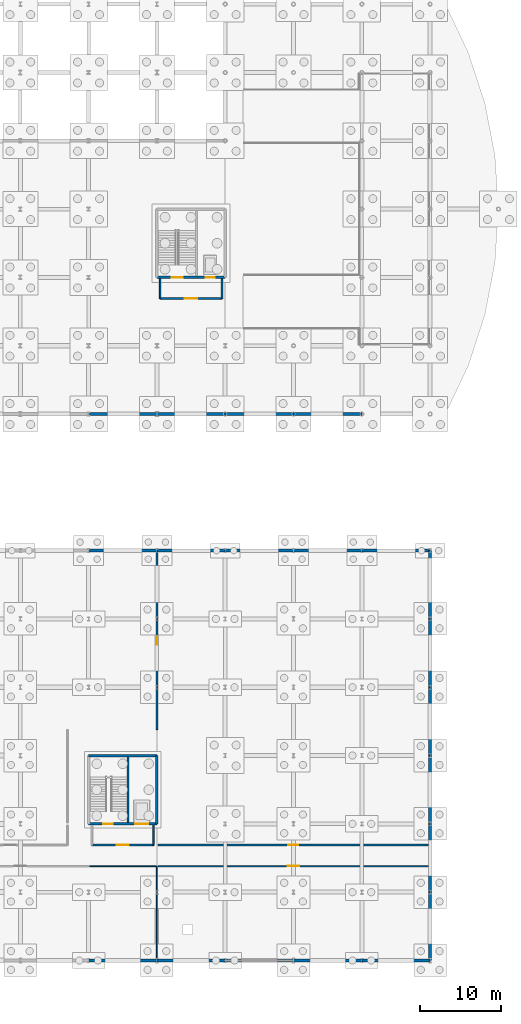
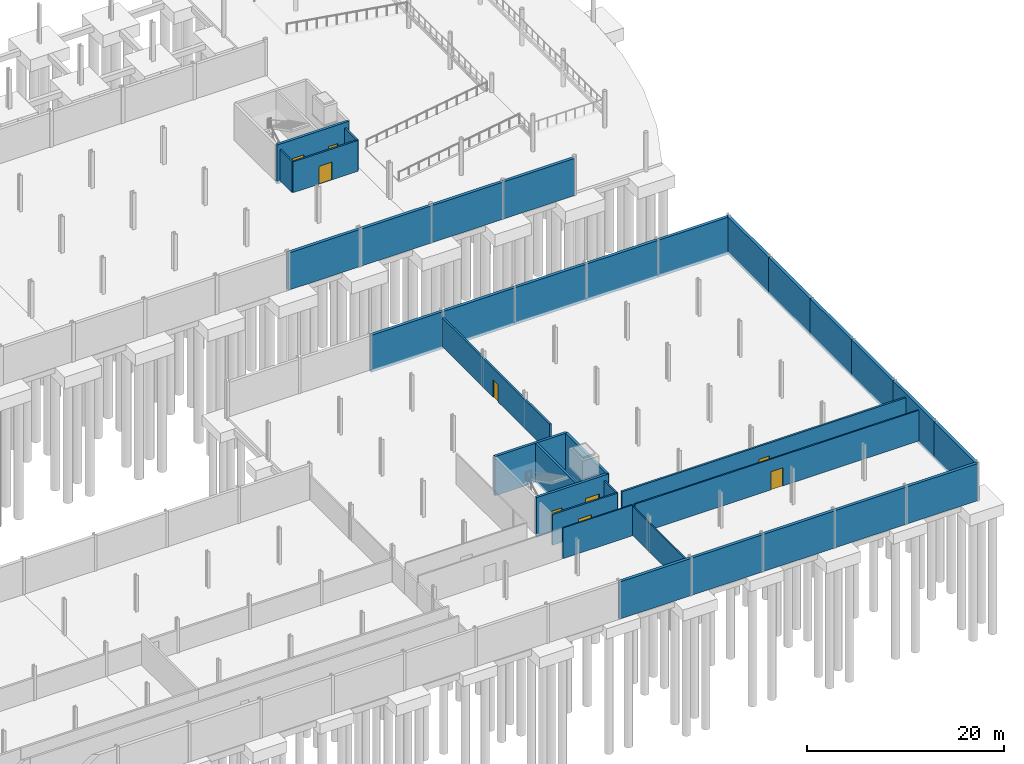
# One storey, part 37 of 51: 35 walls, 9 doors, 9 openings.
"""IFC4 building model written with IfcOpenShell, lengths in metres."""

from ifc_helpers import new_model, si_unit, direction, frame, frame_2d, origin, place, context, subcontext, project, spatial, rectangle, extrude, material, layer, layer_set, type_object, element, fill, save


model = new_model("IFC4")

# Units and contexts
model_context = context("Model", 3, precision=1e-05, world=origin(), true_north=direction((0.0, 1.0)))
body_context = subcontext(model_context, "Body", "Model", "MODEL_VIEW")
ifc_project = project(units=[si_unit("LENGTHUNIT", "METRE"), si_unit("AREAUNIT", "SQUARE_METRE"), si_unit("VOLUMEUNIT", "CUBIC_METRE"), si_unit("PLANEANGLEUNIT", "RADIAN"), si_unit("MASSUNIT", "GRAM", prefix="KILO")], contexts=[model_context])

# Site, building, storey
site_placement = place(None, origin())
site = spatial("IfcSite", under=ifc_project, at=site_placement, CompositionType="ELEMENT")
building_placement = place(site_placement, origin())
building = spatial("IfcBuilding", under=site, at=building_placement, Name="Qalvenar Corner Mobility Hub", CompositionType="ELEMENT")
storey_placement = place(building_placement, frame((0.0, 0.0, -4.5)))
storey = spatial("IfcBuildingStorey", under=building, at=storey_placement, Name="B1", CompositionType="ELEMENT", Elevation=-4.5)

# Wall
ifc_material_1 = material(Name="Concrete C40/50", Category="concrete")
ifc_layer_1 = layer(ifc_material_1, 0.25)
ifc_layer_set_1 = layer_set([ifc_layer_1], Name="Concrete C40/50")
wall_type_1 = type_object("IfcWallType", Name="WL-CORE250", PredefinedType="SHEAR", material=ifc_layer_set_1)
wall_1_placement = place(storey_placement, frame((130.85009765625, 16.949951171875, -0.35009765625), z_axis=(0.0, 0.0, 1.0), x_axis=(0.0, 1.0, 0.0)))
element("IfcWall", 1, at=wall_1_placement, inside=storey, type_object=wall_type_1, Name="Core Divider Wall C6-B1", PredefinedType="SHEAR", context=body_context, shape_type="SweptSolid", body=[
    extrude(rectangle(XDim=8.10009765625, YDim=0.25, at=frame_2d((4.050048828125, 0.0))), origin(), (0.0, 0.0, 1.0), 4.85009765625),
])

# Wall, openings, doors
ifc_layer_2 = layer(ifc_material_1, 0.300048828125)
ifc_layer_set_2 = layer_set([ifc_layer_2], Name="Concrete C40/50")
wall_type_2 = type_object("IfcWallType", Name="WL-CORE300", PredefinedType="SHEAR", material=ifc_layer_set_2)
wall_2_placement = place(storey_placement, frame((134.39990234375, 84.0, -0.35009765625), z_axis=(0.0, 0.0, 1.0), x_axis=(1.0, 0.0, 0.0)))
wall_2 = element("IfcWall", 2, at=wall_2_placement, inside=storey, type_object=wall_type_2, Name="Core Shear Wall C4-B1-S", PredefinedType="SHEAR", context=body_context, shape_type="SweptSolid", body=[
    extrude(rectangle(XDim=8.400146484375, YDim=0.300048828125, at=frame_2d((4.2001953125, 0.0))), origin(), (0.0, 0.0, 1.0), 4.85009765625),
])
opening_1_placement = place(wall_2_placement, frame((1.800048828125, 0.0, 0.35009765625)))
opening_1 = element("IfcOpeningElement", 3, at=opening_1_placement, cuts=wall_2, Name="Opening DR-012", PredefinedType="OPENING", context=body_context, shape_type="SweptSolid", body=[
    extrude(rectangle(XDim=1.35009765625, YDim=2.199951171875, at=frame_2d((0.675048828125, 1.10009765625))), frame((0.0, 0.16015625, 0.0), z_axis=(0.0, -1.0, 0.0), x_axis=(1.0, 0.0, 0.0)), (0.0, 0.0, 1.0), 0.320068359375),
])
opening_2_placement = place(wall_2_placement, frame((6.0, 0.0, 0.35009765625)))
opening_2 = element("IfcOpeningElement", 4, at=opening_2_placement, cuts=wall_2, Name="Opening DR-013", PredefinedType="OPENING", context=body_context, shape_type="SweptSolid", body=[
    extrude(rectangle(XDim=1.10009765625, YDim=2.199951171875, at=frame_2d((0.550048828125, 1.10009765625))), frame((0.0, 0.16015625, 0.0), z_axis=(0.0, -1.0, 0.0), x_axis=(1.0, 0.0, 0.0)), (0.0, 0.0, 1.0), 0.320068359375),
])
ifc_material_2 = material(Name="Stainless Steel Lift Landing Door", Category="steel")
door_type_1 = type_object("IfcDoorType", Name="DR-LIFT-110", OperationType="SLIDING_TO_LEFT", PredefinedType="DOOR", material=ifc_material_2)
door_1_placement = place(opening_2_placement, origin())
door_1 = element("IfcDoor", 5, at=door_1_placement, inside=storey, type_object=door_type_1, Name="DR-013 Lift Landing Door LP4-B1", OperationType="SLIDING_TO_LEFT", OverallHeight=2.199951171875, OverallWidth=1.10009765625, PredefinedType="DOOR", context=body_context, shape_type="SweptSolid", body=[
    extrude(rectangle(XDim=1.10009765625, YDim=2.199951171875, at=frame_2d((0.550048828125, 1.10009765625))), frame((0.0, 0.02490234375, 0.0), z_axis=(0.0, -1.0, 0.0), x_axis=(1.0, 0.0, 0.0)), (0.0, 0.0, 1.0), 0.050048828125),
])
fill(opening_2, door_1)
ifc_material_3 = material(Name="Fire-Rated Steel Stair Door FD90", Category="steel")
door_type_2 = type_object("IfcDoorType", Name="DR-STAIR-135", OperationType="NOTDEFINED", PredefinedType="DOOR", material=ifc_material_3)
door_2_placement = place(opening_1_placement, origin())
door_2 = element("IfcDoor", 6, at=door_2_placement, inside=storey, type_object=door_type_2, Name="DR-012 Stair Fire Door ST4-B1", OperationType="SINGLE_SWING_RIGHT", OverallHeight=2.199951171875, OverallWidth=1.35009765625, PredefinedType="DOOR", context=body_context, shape_type="SweptSolid", body=[
    extrude(rectangle(XDim=1.35009765625, YDim=2.199951171875, at=frame_2d((0.675048828125, 1.10009765625))), frame((0.0, 0.02490234375, 0.0), z_axis=(0.0, -1.0, 0.0), x_axis=(1.0, 0.0, 0.0)), (0.0, 0.0, 1.0), 0.050048828125),
])
fill(opening_1, door_2)

wall_3_placement = place(storey_placement, frame((126.0, 16.800048828125, -0.35009765625), z_axis=(0.0, 0.0, 1.0), x_axis=(1.0, 0.0, 0.0)))
wall_3 = element("IfcWall", 7, at=wall_3_placement, inside=storey, type_object=wall_type_2, Name="Core Shear Wall C6-B1-S", PredefinedType="SHEAR", context=body_context, shape_type="SweptSolid", body=[
    extrude(rectangle(XDim=8.39990234375, YDim=0.300048828125, at=frame_2d((4.199951171875, 0.0))), origin(), (0.0, 0.0, 1.0), 4.85009765625),
])
opening_3_placement = place(wall_3_placement, frame((1.800048828125, 0.0, 0.35009765625)))
opening_3 = element("IfcOpeningElement", 8, at=opening_3_placement, cuts=wall_3, Name="Opening DR-018", PredefinedType="OPENING", context=body_context, shape_type="SweptSolid", body=[
    extrude(rectangle(XDim=1.199951171875, YDim=2.199951171875, at=frame_2d((0.60009765625, 1.10009765625))), frame((0.0, 0.16015625, 0.0), z_axis=(0.0, -1.0, 0.0), x_axis=(1.0, 0.0, 0.0)), (0.0, 0.0, 1.0), 0.320068359375),
])
opening_4_placement = place(wall_3_placement, frame((5.75, 0.0, 0.35009765625)))
opening_4 = element("IfcOpeningElement", 9, at=opening_4_placement, cuts=wall_3, Name="Opening DR-019", PredefinedType="OPENING", context=body_context, shape_type="SweptSolid", body=[
    extrude(rectangle(XDim=1.60009765625, YDim=2.39990234375, at=frame_2d((0.800048828125, 1.199951171875))), frame((0.0, 0.16015625, 0.0), z_axis=(0.0, -1.0, 0.0), x_axis=(1.0, 0.0, 0.0)), (0.0, 0.0, 1.0), 0.320068359375),
])
ifc_material_4 = material(Name="Stainless Steel Goods Lift Landing Door", Category="steel")
door_type_3 = type_object("IfcDoorType", Name="DR-LIFT-160", OperationType="SLIDING_TO_LEFT", PredefinedType="DOOR", material=ifc_material_4)
door_3_placement = place(opening_4_placement, origin())
door_3 = element("IfcDoor", 10, at=door_3_placement, inside=storey, type_object=door_type_3, Name="DR-019 Lift Landing Door LG2-B1", OperationType="SLIDING_TO_LEFT", OverallHeight=2.39990234375, OverallWidth=1.60009765625, PredefinedType="DOOR", context=body_context, shape_type="SweptSolid", body=[
    extrude(rectangle(XDim=1.60009765625, YDim=2.39990234375, at=frame_2d((0.800048828125, 1.199951171875))), frame((0.0, 0.02490234375, 0.0), z_axis=(0.0, -1.0, 0.0), x_axis=(1.0, 0.0, 0.0)), (0.0, 0.0, 1.0), 0.050048828125),
])
fill(opening_4, door_3)
door_type_4 = type_object("IfcDoorType", Name="DR-STAIR-120", OperationType="NOTDEFINED", PredefinedType="DOOR", material=ifc_material_3)
door_4_placement = place(opening_3_placement, origin())
door_4 = element("IfcDoor", 11, at=door_4_placement, inside=storey, type_object=door_type_4, Name="DR-018 Stair Fire Door ST6-B1", OperationType="SINGLE_SWING_RIGHT", OverallHeight=2.199951171875, OverallWidth=1.199951171875, PredefinedType="DOOR", context=body_context, shape_type="SweptSolid", body=[
    extrude(rectangle(XDim=1.199951171875, YDim=2.199951171875, at=frame_2d((0.60009765625, 1.10009765625))), frame((0.0, 0.02490234375, 0.0), z_axis=(0.0, -1.0, 0.0), x_axis=(1.0, 0.0, 0.0)), (0.0, 0.0, 1.0), 0.050048828125),
])
fill(opening_3, door_4)

# Walls
for number, where, z_axis, x_axis, name in (
    (12, (134.39990234375, 16.800048828125, -0.35009765625), (0.0, 0.0, 1.0), (0.0, 1.0, 0.0), "Core Shear Wall C6-B1-E"),
    (13, (134.39990234375, 25.199951171875, -0.35009765625), (0.0, 0.0, 1.0), (-1.0, 0.0, 0.0), "Core Shear Wall C6-B1-N"),
):
    element("IfcWall", number, at=place(storey_placement, frame(where, z_axis=z_axis, x_axis=x_axis)), inside=storey, type_object=wall_type_2, Name=name, PredefinedType="SHEAR", context=body_context, shape_type="SweptSolid", body=[
        extrude(rectangle(XDim=8.39990234375, YDim=0.300048828125, at=frame_2d((4.199951171875, 0.0))), origin(), (0.0, 0.0, 1.0), 4.85009765625),
    ])

# Wall, opening, door
ifc_material_5 = material(Name="Concrete Blockwork Masonry", Category="masonry")
ifc_layer_3 = layer(ifc_material_5, 0.219970703125)
ifc_layer_set_3 = layer_set([ifc_layer_3], Name="Concrete Blockwork Masonry")
wall_type_3 = type_object("IfcWallType", Name="WL-FIRE220", PredefinedType="PARTITIONING", material=ifc_layer_set_3)
wall_4_placement = place(storey_placement, frame((134.550048828125, 14.199951171875, 0.0), z_axis=(0.0, 0.0, 1.0), x_axis=(1.0, 0.0, 0.0)))
wall_4 = element("IfcWall", 14, at=wall_4_placement, inside=storey, type_object=wall_type_3, Name="Interior Partition PRT-B1-019", PredefinedType="PARTITIONING", context=body_context, shape_type="SweptSolid", body=[
    extrude(rectangle(XDim=33.27001953125, YDim=0.219970703125, at=frame_2d((16.635009765625, 0.0))), origin(), (0.0, 0.0, 1.0), 3.800048828125),
])
opening_5_placement = place(wall_4_placement, frame((16.010009765625, 0.0, 0.0)))
opening_5 = element("IfcOpeningElement", 15, at=opening_5_placement, cuts=wall_4, Name="Opening DR-035", PredefinedType="OPENING", context=body_context, shape_type="SweptSolid", body=[
    extrude(rectangle(XDim=1.25, YDim=2.199951171875, at=frame_2d((0.625, 1.10009765625))), frame((0.0, 0.1201171875, 0.0), z_axis=(0.0, -1.0, 0.0), x_axis=(1.0, 0.0, 0.0)), (0.0, 0.0, 1.0), 0.239990234375),
])
ifc_material_6 = material(Name="Acoustic Steel Plant Room Door FD60", Category="steel")
door_type_5 = type_object("IfcDoorType", Name="DR-INT-PLT125", OperationType="NOTDEFINED", PredefinedType="DOOR", material=ifc_material_6)
door_5_placement = place(opening_5_placement, origin())
door_5 = element("IfcDoor", 16, at=door_5_placement, inside=storey, type_object=door_type_5, Name="DR-035 Greywater Recycling and Oil Separator Pl Door", OperationType="SINGLE_SWING_LEFT", OverallHeight=2.199951171875, OverallWidth=1.25, PredefinedType="DOOR", context=body_context, shape_type="SweptSolid", body=[
    extrude(rectangle(XDim=1.25, YDim=2.199951171875, at=frame_2d((0.625, 1.10009765625))), frame((0.0, 0.02490234375, 0.0), z_axis=(0.0, -1.0, 0.0), x_axis=(1.0, 0.0, 0.0)), (0.0, 0.0, 1.0), 0.050048828125),
])
fill(opening_5, door_5)

wall_5_placement = place(storey_placement, frame((134.39990234375, 28.39990234375, 0.0), z_axis=(0.0, 0.0, 1.0), x_axis=(0.0, 1.0, 0.0)))
wall_5 = element("IfcWall", 17, at=wall_5_placement, inside=storey, type_object=wall_type_3, Name="Interior Partition PRT-B1-061", PredefinedType="PARTITIONING", context=body_context, shape_type="SweptSolid", body=[
    extrude(rectangle(XDim=21.820068359375, YDim=0.219970703125, at=frame_2d((10.91015625, 0.0))), origin(), (0.0, 0.0, 1.0), 3.570068359375),
])
opening_6_placement = place(wall_5_placement, frame((10.409912109375, 0.0, 0.0)))
opening_6 = element("IfcOpeningElement", 18, at=opening_6_placement, cuts=wall_5, Name="Opening DR-045", PredefinedType="OPENING", context=body_context, shape_type="SweptSolid", body=[
    extrude(rectangle(XDim=1.0, YDim=2.14990234375, at=frame_2d((0.5, 1.074951171875))), frame((0.0, 0.1201171875, 0.0), z_axis=(0.0, -1.0, 0.0), x_axis=(1.0, 0.0, 0.0)), (0.0, 0.0, 1.0), 0.239990234375),
])
ifc_material_7 = material(Name="Hardwood Teak Office Door FD30", Category="wood")
door_type_6 = type_object("IfcDoorType", Name="DR-INT-OFF100", OperationType="NOTDEFINED", PredefinedType="DOOR", material=ifc_material_7)
door_6_placement = place(opening_6_placement, origin())
door_6 = element("IfcDoor", 19, at=door_6_placement, inside=storey, type_object=door_type_6, Name="DR-045 Compressed Air and Lubrication Room Door", OperationType="SINGLE_SWING_LEFT", OverallHeight=2.14990234375, OverallWidth=1.0, PredefinedType="DOOR", context=body_context, shape_type="SweptSolid", body=[
    extrude(rectangle(XDim=1.0, YDim=2.14990234375, at=frame_2d((0.5, 1.074951171875))), frame((0.0, 0.02490234375, 0.0), z_axis=(0.0, -1.0, 0.0), x_axis=(1.0, 0.0, 0.0)), (0.0, 0.0, 1.0), 0.050048828125),
])
fill(opening_6, door_6)

# Walls
ifc_material_8 = material(Name="Acoustic Gypsum Stud Partition", Category="masonry")
ifc_layer_4 = layer(ifc_material_8, 0.139892578125)
ifc_layer_set_4 = layer_set([ifc_layer_4], Name="Acoustic Gypsum Stud Partition")
wall_type_4 = type_object("IfcWallType", Name="WL-INT140", PredefinedType="PARTITIONING", material=ifc_layer_set_4)
wall_6_placement = place(storey_placement, frame((126.14990234375, 11.60009765625, 0.0), z_axis=(0.0, 0.0, 1.0), x_axis=(1.0, 0.0, 0.0)))
element("IfcWall", 20, at=wall_6_placement, inside=storey, type_object=wall_type_4, Name="Interior Partition PRT-B1-016", PredefinedType="PARTITIONING", context=body_context, shape_type="SweptSolid", body=[
    extrude(rectangle(XDim=8.150146484375, YDim=0.139892578125, at=frame_2d((4.0751953125, 0.0))), origin(), (0.0, 0.0, 1.0), 3.800048828125),
])
wall_7_placement = place(storey_placement, frame((134.39990234375, 0.179931640625, 0.0), z_axis=(0.0, 0.0, 1.0), x_axis=(0.0, 1.0, 0.0)))
element("IfcWall", 21, at=wall_7_placement, inside=storey, type_object=wall_type_4, Name="Interior Partition PRT-B1-060", PredefinedType="PARTITIONING", context=body_context, shape_type="SweptSolid", body=[
    extrude(rectangle(XDim=11.420166015625, YDim=0.139892578125, at=frame_2d((5.7099609375, 0.0))), origin(), (0.0, 0.0, 1.0), 3.570068359375),
])

# Wall, opening, door
ifc_material_9 = material(Name="Plastered Clay Brick Partition", Category="masonry")
ifc_layer_5 = layer(ifc_material_9, 0.159912109375)
ifc_layer_set_5 = layer_set([ifc_layer_5], Name="Plastered Clay Brick Partition")
wall_type_5 = type_object("IfcWallType", Name="WL-INT160", PredefinedType="PARTITIONING", material=ifc_layer_set_5)
wall_8_placement = place(storey_placement, frame((134.550048828125, 11.60009765625, 0.0), z_axis=(0.0, 0.0, 1.0), x_axis=(1.0, 0.0, 0.0)))
wall_8 = element("IfcWall", 22, at=wall_8_placement, inside=storey, type_object=wall_type_5, Name="Interior Partition PRT-B1-017", PredefinedType="PARTITIONING", context=body_context, shape_type="SweptSolid", body=[
    extrude(rectangle(XDim=33.27001953125, YDim=0.159912109375, at=frame_2d((16.635009765625, 0.0))), origin(), (0.0, 0.0, 1.0), 3.800048828125),
])
opening_7_placement = place(wall_8_placement, frame((15.93505859375, 0.0, 0.0)))
opening_7 = element("IfcOpeningElement", 23, at=opening_7_placement, cuts=wall_8, Name="Opening DR-033", PredefinedType="OPENING", context=body_context, shape_type="SweptSolid", body=[
    extrude(rectangle(XDim=1.39990234375, YDim=2.25, at=frame_2d((0.699951171875, 1.125))), frame((0.0, 0.08984375, 0.0), z_axis=(0.0, -1.0, 0.0), x_axis=(1.0, 0.0, 0.0)), (0.0, 0.0, 1.0), 0.179931640625),
])
ifc_material_10 = material(Name="Hardwood Teak Acoustic Double Door", Category="wood")
door_type_7 = type_object("IfcDoorType", Name="DR-INT-PUB140", OperationType="DOUBLE_DOOR_SINGLE_SWING", PredefinedType="DOOR", material=ifc_material_10)
door_7_placement = place(opening_7_placement, origin())
door_7 = element("IfcDoor", 24, at=door_7_placement, inside=storey, type_object=door_type_7, Name="DR-033 Heavy Spare Parts Storage Room Door", OperationType="DOUBLE_DOOR_SINGLE_SWING", OverallHeight=2.25, OverallWidth=1.39990234375, PredefinedType="DOOR", context=body_context, shape_type="SweptSolid", body=[
    extrude(rectangle(XDim=1.39990234375, YDim=2.25, at=frame_2d((0.699951171875, 1.125))), frame((0.0, 0.02490234375, 0.0), z_axis=(0.0, -1.0, 0.0), x_axis=(1.0, 0.0, 0.0)), (0.0, 0.0, 1.0), 0.050048828125),
])
fill(opening_7, door_7)

# Walls
ifc_material_11 = material(Name="Concrete Blockwork Masonry", Category="masonry")
ifc_layer_6 = layer(ifc_material_11, 0.199951171875)
ifc_layer_set_6 = layer_set([ifc_layer_6], Name="Concrete Blockwork Masonry")
wall_type_6 = type_object("IfcWallType", Name="WL-LOBBY200", PredefinedType="PARTITIONING", material=ifc_layer_set_6)
for number, where, z_axis, x_axis, name in (
    (25, (134.800048828125, 81.39990234375, 0.0), (0.0, 0.0, 1.0), (0.0, 1.0, 0.0), "Interior Partition WL-LOB-C4-B1-W"),
    (26, (142.39990234375, 81.39990234375, 0.0), (0.0, 0.0, 1.0), (0.0, 1.0, 0.0), "Interior Partition WL-LOB-C4-B1-E"),
):
    element("IfcWall", number, at=place(storey_placement, frame(where, z_axis=z_axis, x_axis=x_axis)), inside=storey, type_object=wall_type_6, Name=name, PredefinedType="PARTITIONING", context=body_context, shape_type="SweptSolid", body=[
        extrude(rectangle(XDim=2.4501953125, YDim=0.199951171875, at=frame_2d((1.22509765625, 0.0))), origin(), (0.0, 0.0, 1.0), 3.820068359375),
    ])

# Wall, opening, door
wall_9_placement = place(storey_placement, frame((134.800048828125, 81.39990234375, 0.0), z_axis=(0.0, 0.0, 1.0), x_axis=(1.0, 0.0, 0.0)))
wall_9 = element("IfcWall", 27, at=wall_9_placement, inside=storey, type_object=wall_type_6, Name="Interior Partition WL-LOB-C4-B1-S", PredefinedType="PARTITIONING", context=body_context, shape_type="SweptSolid", body=[
    extrude(rectangle(XDim=7.599853515625, YDim=0.199951171875, at=frame_2d((3.7998046875, 0.0))), origin(), (0.0, 0.0, 1.0), 3.820068359375),
])
opening_8_placement = place(wall_9_placement, frame((3.050048828125, 0.0, 0.0)))
opening_8 = element("IfcOpeningElement", 28, at=opening_8_placement, cuts=wall_9, Name="Opening DR-014", PredefinedType="OPENING", context=body_context, shape_type="SweptSolid", body=[
    extrude(rectangle(XDim=1.5, YDim=2.199951171875, at=frame_2d((0.75, 1.10009765625))), frame((0.0, 0.10986328125, 0.0), z_axis=(0.0, -1.0, 0.0), x_axis=(1.0, 0.0, 0.0)), (0.0, 0.0, 1.0), 0.219970703125),
])
ifc_material_12 = material(Name="Firefighting Lobby Smoke-Control Door FD60", Category="steel")
door_type_8 = type_object("IfcDoorType", Name="DR-FFLOB-150", OperationType="DOUBLE_DOOR_SINGLE_SWING", PredefinedType="DOOR", material=ifc_material_12)
door_8_placement = place(opening_8_placement, origin())
door_8 = element("IfcDoor", 29, at=door_8_placement, inside=storey, type_object=door_type_8, Name="DR-014 Lift Lobby Smoke Door C4-B1", OperationType="DOUBLE_DOOR_SINGLE_SWING", OverallHeight=2.199951171875, OverallWidth=1.5, PredefinedType="DOOR", context=body_context, shape_type="SweptSolid", body=[
    extrude(rectangle(XDim=1.5, YDim=2.199951171875, at=frame_2d((0.75, 1.10009765625))), frame((0.0, 0.02490234375, 0.0), z_axis=(0.0, -1.0, 0.0), x_axis=(1.0, 0.0, 0.0)), (0.0, 0.0, 1.0), 0.050048828125),
])
fill(opening_8, door_8)

# Wall
wall_10_placement = place(storey_placement, frame((134.0, 14.199951171875, 0.0), z_axis=(0.0, 0.0, 1.0), x_axis=(0.0, 1.0, 0.0)))
element("IfcWall", 30, at=wall_10_placement, inside=storey, type_object=wall_type_6, Name="Interior Partition WL-LOB-C6-B1-E", PredefinedType="PARTITIONING", context=body_context, shape_type="SweptSolid", body=[
    extrude(rectangle(XDim=2.449951171875, YDim=0.199951171875, at=frame_2d((1.22509765625, 0.0))), origin(), (0.0, 0.0, 1.0), 3.820068359375),
])

# Wall, opening, door
wall_11_placement = place(storey_placement, frame((126.39990234375, 14.199951171875, 0.0), z_axis=(0.0, 0.0, 1.0), x_axis=(1.0, 0.0, 0.0)))
wall_11 = element("IfcWall", 31, at=wall_11_placement, inside=storey, type_object=wall_type_6, Name="Interior Partition WL-LOB-C6-B1-S", PredefinedType="PARTITIONING", context=body_context, shape_type="SweptSolid", body=[
    extrude(rectangle(XDim=7.60009765625, YDim=0.199951171875, at=frame_2d((3.800048828125, 0.0))), origin(), (0.0, 0.0, 1.0), 3.81005859375),
])
opening_9_placement = place(wall_11_placement, frame((3.050048828125, 0.0, 0.0)))
opening_9 = element("IfcOpeningElement", 32, at=opening_9_placement, cuts=wall_11, Name="Opening DR-020", PredefinedType="OPENING", context=body_context, shape_type="SweptSolid", body=[
    extrude(rectangle(XDim=1.5, YDim=2.199951171875, at=frame_2d((0.75, 1.10009765625))), frame((0.0, 0.10986328125, 0.0), z_axis=(0.0, -1.0, 0.0), x_axis=(1.0, 0.0, 0.0)), (0.0, 0.0, 1.0), 0.219970703125),
])
door_9_placement = place(opening_9_placement, origin())
door_9 = element("IfcDoor", 33, at=door_9_placement, inside=storey, type_object=door_type_8, Name="DR-020 Lift Lobby Smoke Door C6-B1", OperationType="DOUBLE_DOOR_SINGLE_SWING", OverallHeight=2.199951171875, OverallWidth=1.5, PredefinedType="DOOR", context=body_context, shape_type="SweptSolid", body=[
    extrude(rectangle(XDim=1.5, YDim=2.199951171875, at=frame_2d((0.75, 1.10009765625))), frame((0.0, 0.02490234375, 0.0), z_axis=(0.0, -1.0, 0.0), x_axis=(1.0, 0.0, 0.0)), (0.0, 0.0, 1.0), 0.050048828125),
])
fill(opening_9, door_9)

# Walls
ifc_layer_7 = layer(ifc_material_1, 0.35009765625)
ifc_layer_set_7 = layer_set([ifc_layer_7], Name="Concrete C40/50")
wall_type_7 = type_object("IfcWallType", Name="WL-RET350", PredefinedType="SOLIDWALL", material=ifc_layer_set_7)
wall_12_placement = place(storey_placement, frame((126.0, 0.0, -0.35009765625), z_axis=(0.0, 0.0, 1.0), x_axis=(1.0, 0.0, 0.0)))
element("IfcWall", 34, at=wall_12_placement, inside=storey, type_object=wall_type_7, Name="Basement Retaining Wall BW-016", PredefinedType="SOLIDWALL", context=body_context, shape_type="SweptSolid", body=[
    extrude(rectangle(XDim=8.39990234375, YDim=0.35009765625, at=frame_2d((4.199951171875, 0.0))), origin(), (0.0, 0.0, 1.0), 4.60009765625),
])
wall_13_placement = place(storey_placement, frame((134.39990234375, 0.0, -0.35009765625), z_axis=(0.0, 0.0, 1.0), x_axis=(1.0, 0.0, 0.0)))
element("IfcWall", 35, at=wall_13_placement, inside=storey, type_object=wall_type_7, Name="Basement Retaining Wall BW-017", PredefinedType="SOLIDWALL", context=body_context, shape_type="SweptSolid", body=[
    extrude(rectangle(XDim=8.400146484375, YDim=0.35009765625, at=frame_2d((4.2001953125, 0.0))), origin(), (0.0, 0.0, 1.0), 4.60009765625),
])
wall_14_placement = place(storey_placement, frame((142.800048828125, 0.0, -0.35009765625), z_axis=(0.0, 0.0, 1.0), x_axis=(1.0, 0.0, 0.0)))
element("IfcWall", 36, at=wall_14_placement, inside=storey, type_object=wall_type_7, Name="Basement Retaining Wall BW-018", PredefinedType="SOLIDWALL", context=body_context, shape_type="SweptSolid", body=[
    extrude(rectangle(XDim=8.39990234375, YDim=0.35009765625, at=frame_2d((4.199951171875, 0.0))), origin(), (0.0, 0.0, 1.0), 4.60009765625),
])
wall_15_placement = place(storey_placement, frame((151.199951171875, 0.0, -0.35009765625), z_axis=(0.0, 0.0, 1.0), x_axis=(1.0, 0.0, 0.0)))
element("IfcWall", 37, at=wall_15_placement, inside=storey, type_object=wall_type_7, Name="Basement Retaining Wall BW-019", PredefinedType="SOLIDWALL", context=body_context, shape_type="SweptSolid", body=[
    extrude(rectangle(XDim=8.400146484375, YDim=0.35009765625, at=frame_2d((4.2001953125, 0.0))), origin(), (0.0, 0.0, 1.0), 4.60009765625),
])
for number, where, z_axis, x_axis, name in (
    (38, (159.60009765625, 0.0, -0.35009765625), (0.0, 0.0, 1.0), (1.0, 0.0, 0.0), "Basement Retaining Wall BW-020"),
    (39, (168.0, 0.0, -0.35009765625), (0.0, 0.0, 1.0), (0.0, 1.0, 0.0), "Basement Retaining Wall BW-021"),
):
    element("IfcWall", number, at=place(storey_placement, frame(where, z_axis=z_axis, x_axis=x_axis)), inside=storey, type_object=wall_type_7, Name=name, PredefinedType="SOLIDWALL", context=body_context, shape_type="SweptSolid", body=[
        extrude(rectangle(XDim=8.39990234375, YDim=0.35009765625, at=frame_2d((4.199951171875, 0.0))), origin(), (0.0, 0.0, 1.0), 4.60009765625),
    ])
wall_16_placement = place(storey_placement, frame((168.0, 8.39990234375, -0.35009765625), z_axis=(0.0, 0.0, 1.0), x_axis=(0.0, 1.0, 0.0)))
element("IfcWall", 40, at=wall_16_placement, inside=storey, type_object=wall_type_7, Name="Basement Retaining Wall BW-022", PredefinedType="SOLIDWALL", context=body_context, shape_type="SweptSolid", body=[
    extrude(rectangle(XDim=8.400146484375, YDim=0.35009765625, at=frame_2d((4.2001953125, 0.0))), origin(), (0.0, 0.0, 1.0), 4.60009765625),
])
wall_17_placement = place(storey_placement, frame((168.0, 16.800048828125, -0.35009765625), z_axis=(0.0, 0.0, 1.0), x_axis=(0.0, 1.0, 0.0)))
element("IfcWall", 41, at=wall_17_placement, inside=storey, type_object=wall_type_7, Name="Basement Retaining Wall BW-023", PredefinedType="SOLIDWALL", context=body_context, shape_type="SweptSolid", body=[
    extrude(rectangle(XDim=8.39990234375, YDim=0.35009765625, at=frame_2d((4.199951171875, 0.0))), origin(), (0.0, 0.0, 1.0), 4.60009765625),
])
wall_18_placement = place(storey_placement, frame((168.0, 25.199951171875, -0.35009765625), z_axis=(0.0, 0.0, 1.0), x_axis=(0.0, 1.0, 0.0)))
element("IfcWall", 42, at=wall_18_placement, inside=storey, type_object=wall_type_7, Name="Basement Retaining Wall BW-024", PredefinedType="SOLIDWALL", context=body_context, shape_type="SweptSolid", body=[
    extrude(rectangle(XDim=8.400146484375, YDim=0.35009765625, at=frame_2d((4.2001953125, 0.0))), origin(), (0.0, 0.0, 1.0), 4.60009765625),
])
for number, where, z_axis, x_axis, name in (
    (43, (168.0, 33.60009765625, -0.35009765625), (0.0, 0.0, 1.0), (0.0, 1.0, 0.0), "Basement Retaining Wall BW-025"),
    (44, (168.0, 42.0, -0.35009765625), (0.0, 0.0, 1.0), (0.0, 1.0, 0.0), "Basement Retaining Wall BW-026"),
    (45, (134.39990234375, 50.39990234375, -0.35009765625), (0.0, 0.0, 1.0), (-1.0, 0.0, 0.0), "Basement Retaining Wall BW-029"),
):
    element("IfcWall", number, at=place(storey_placement, frame(where, z_axis=z_axis, x_axis=x_axis)), inside=storey, type_object=wall_type_7, Name=name, PredefinedType="SOLIDWALL", context=body_context, shape_type="SweptSolid", body=[
        extrude(rectangle(XDim=8.39990234375, YDim=0.35009765625, at=frame_2d((4.199951171875, 0.0))), origin(), (0.0, 0.0, 1.0), 4.60009765625),
    ])
wall_19_placement = place(storey_placement, frame((142.800048828125, 50.39990234375, -0.35009765625), z_axis=(0.0, 0.0, 1.0), x_axis=(-1.0, 0.0, 0.0)))
element("IfcWall", 46, at=wall_19_placement, inside=storey, type_object=wall_type_7, Name="Basement Retaining Wall BW-030", PredefinedType="SOLIDWALL", context=body_context, shape_type="SweptSolid", body=[
    extrude(rectangle(XDim=8.400146484375, YDim=0.35009765625, at=frame_2d((4.2001953125, 0.0))), origin(), (0.0, 0.0, 1.0), 4.60009765625),
])
wall_20_placement = place(storey_placement, frame((151.199951171875, 50.39990234375, -0.35009765625), z_axis=(0.0, 0.0, 1.0), x_axis=(-1.0, 0.0, 0.0)))
element("IfcWall", 47, at=wall_20_placement, inside=storey, type_object=wall_type_7, Name="Basement Retaining Wall BW-031", PredefinedType="SOLIDWALL", context=body_context, shape_type="SweptSolid", body=[
    extrude(rectangle(XDim=8.39990234375, YDim=0.35009765625, at=frame_2d((4.199951171875, 0.0))), origin(), (0.0, 0.0, 1.0), 4.60009765625),
])
wall_21_placement = place(storey_placement, frame((159.60009765625, 50.39990234375, -0.35009765625), z_axis=(0.0, 0.0, 1.0), x_axis=(-1.0, 0.0, 0.0)))
element("IfcWall", 48, at=wall_21_placement, inside=storey, type_object=wall_type_7, Name="Basement Retaining Wall BW-032", PredefinedType="SOLIDWALL", context=body_context, shape_type="SweptSolid", body=[
    extrude(rectangle(XDim=8.400146484375, YDim=0.35009765625, at=frame_2d((4.2001953125, 0.0))), origin(), (0.0, 0.0, 1.0), 4.60009765625),
])
for number, where, z_axis, x_axis, name in (
    (49, (168.0, 50.39990234375, -0.35009765625), (0.0, 0.0, 1.0), (-1.0, 0.0, 0.0), "Basement Retaining Wall BW-033"),
    (50, (126.0, 67.199951171875, -0.35009765625), (0.0, 0.0, 1.0), (1.0, 0.0, 0.0), "Basement Retaining Wall BW-071"),
):
    element("IfcWall", number, at=place(storey_placement, frame(where, z_axis=z_axis, x_axis=x_axis)), inside=storey, type_object=wall_type_7, Name=name, PredefinedType="SOLIDWALL", context=body_context, shape_type="SweptSolid", body=[
        extrude(rectangle(XDim=8.39990234375, YDim=0.35009765625, at=frame_2d((4.199951171875, 0.0))), origin(), (0.0, 0.0, 1.0), 4.60009765625),
    ])
wall_22_placement = place(storey_placement, frame((134.39990234375, 67.199951171875, -0.35009765625), z_axis=(0.0, 0.0, 1.0), x_axis=(1.0, 0.0, 0.0)))
element("IfcWall", 51, at=wall_22_placement, inside=storey, type_object=wall_type_7, Name="Basement Retaining Wall BW-072", PredefinedType="SOLIDWALL", context=body_context, shape_type="SweptSolid", body=[
    extrude(rectangle(XDim=8.400146484375, YDim=0.35009765625, at=frame_2d((4.2001953125, 0.0))), origin(), (0.0, 0.0, 1.0), 4.60009765625),
])
wall_23_placement = place(storey_placement, frame((142.800048828125, 67.199951171875, -0.35009765625), z_axis=(0.0, 0.0, 1.0), x_axis=(1.0, 0.0, 0.0)))
element("IfcWall", 52, at=wall_23_placement, inside=storey, type_object=wall_type_7, Name="Basement Retaining Wall BW-073", PredefinedType="SOLIDWALL", context=body_context, shape_type="SweptSolid", body=[
    extrude(rectangle(XDim=8.39990234375, YDim=0.35009765625, at=frame_2d((4.199951171875, 0.0))), origin(), (0.0, 0.0, 1.0), 4.60009765625),
])
wall_24_placement = place(storey_placement, frame((151.199951171875, 67.199951171875, -0.35009765625), z_axis=(0.0, 0.0, 1.0), x_axis=(1.0, 0.0, 0.0)))
element("IfcWall", 53, at=wall_24_placement, inside=storey, type_object=wall_type_7, Name="Basement Retaining Wall BW-074", PredefinedType="SOLIDWALL", context=body_context, shape_type="SweptSolid", body=[
    extrude(rectangle(XDim=8.400146484375, YDim=0.35009765625, at=frame_2d((4.2001953125, 0.0))), origin(), (0.0, 0.0, 1.0), 4.60009765625),
])

save(model, "model.ifc")
